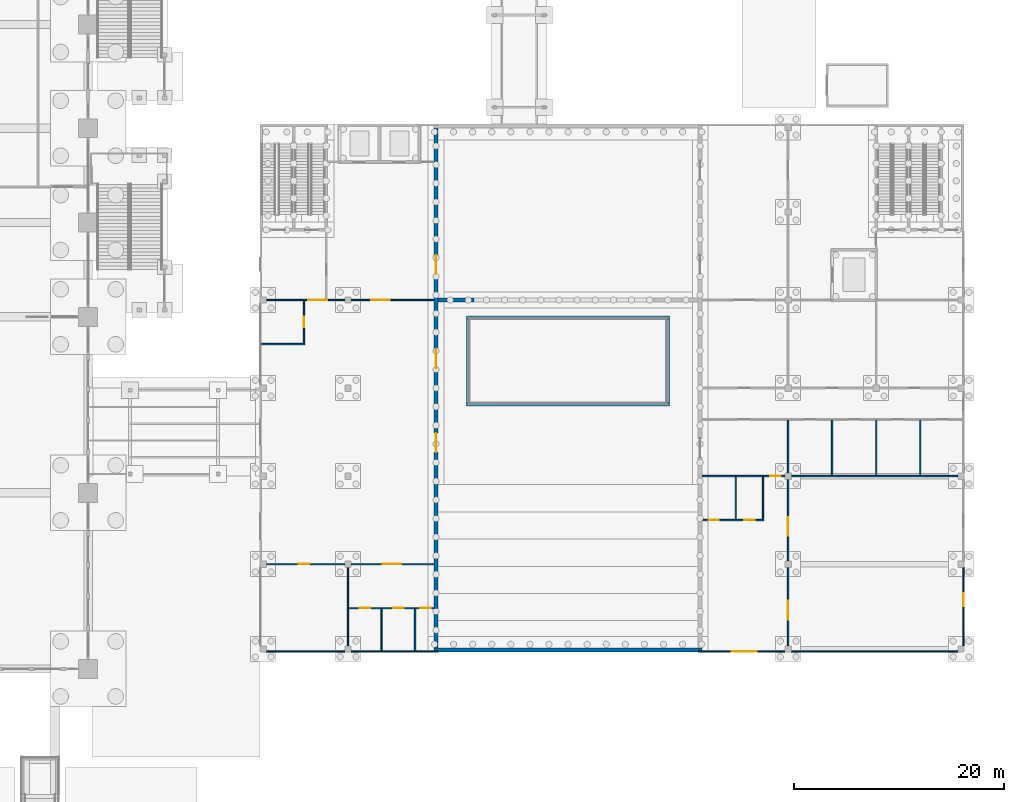
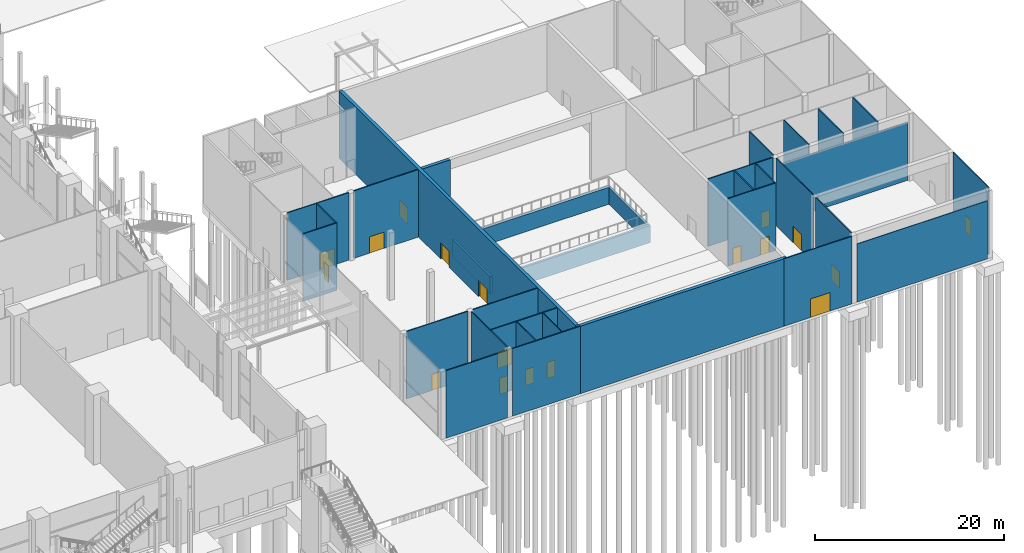
# One storey, part 46 of 72: 33 walls, 18 doors, 18 openings.
"""IFC4 building model written with IfcOpenShell, lengths in metres."""

import ifcopenshell
import ifcopenshell.guid

model = None  # the IFC model being written
_history = None  # IfcOwnerHistory: only IFC2X3 demands one
_inside = {}  # id of a spatial element -> (the spatial element, [elements in it])
_under = {}  # id of a project, library or spatial element -> (it, [spatial elements below it])
_declared = {}  # id of a project -> (the project, [libraries it declares])
_typed = {}  # id of a type object -> (the type object, [elements of that type])
_made_of = {}  # id of a material, layer set ... -> (it, [elements and type objects made of it])


def new_model(schema):
    """Start an empty IFC model of exactly this schema.

    Asked for "IFC4X3", IfcOpenShell would pick the latest addendum, in which some entities
    have other attributes; the version numbers below select the first issue.
    IFC2X3 requires an IfcOwnerHistory on every rooted entity: one is made here for all.
    """
    global model, _history
    if schema == "IFC4X3":
        model = ifcopenshell.file(schema_version=(4, 3, 0, 0))
    else:
        model = ifcopenshell.file(schema=schema)
    _inside.clear()
    _under.clear()
    _declared.clear()
    _typed.clear()
    _made_of.clear()
    _history = None
    if model.schema == "IFC2X3":
        org = make("IfcOrganization", Name="unknown")
        user = make(
            "IfcPersonAndOrganization",
            ThePerson=make("IfcPerson", FamilyName="unknown"),
            TheOrganization=org,
        )
        app = make(
            "IfcApplication",
            ApplicationDeveloper=org,
            Version="unknown",
            ApplicationFullName="unknown",
            ApplicationIdentifier="unknown",
        )
        _history = make(
            "IfcOwnerHistory",
            OwningUser=user,
            OwningApplication=app,
            ChangeAction="ADDED",
            CreationDate=0,
        )
    return model


def make(cls, **values):
    """One entity of the class cls with the attributes given. An attribute that is None is left unset."""
    return model.create_entity(
        cls, **{name: value for name, value in values.items() if value is not None}
    )


def rooted(cls, **values):
    """An entity with a GlobalId (a new one), such as an element, a storey or a relation."""
    return make(cls, GlobalId=ifcopenshell.guid.new(), OwnerHistory=_history, **values)


def si_unit(unit_type, name, prefix=None):
    """IfcSIUnit, for example si_unit("LENGTHUNIT", "METRE", prefix="MILLI")."""
    return make("IfcSIUnit", UnitType=unit_type, Prefix=prefix, Name=name)


def assignment(units):
    """IfcUnitAssignment: the units of a project."""
    return None if units is None else make("IfcUnitAssignment", Units=units)


def point(xyz):
    """IfcCartesianPoint."""
    return None if xyz is None else make("IfcCartesianPoint", Coordinates=xyz)


def direction(xyz):
    """IfcDirection."""
    return None if xyz is None else make("IfcDirection", DirectionRatios=xyz)


def frame(location, z_axis=None, x_axis=None):
    """IfcAxis2Placement3D, a coordinate frame: its origin and axes. An axis left out is left unset."""
    return make(
        "IfcAxis2Placement3D",
        Location=point(location),
        Axis=direction(z_axis),
        RefDirection=direction(x_axis),
    )


def frame_2d(location, x_axis=None):
    """IfcAxis2Placement2D, a coordinate frame in the plane: its origin and x axis."""
    return make(
        "IfcAxis2Placement2D", Location=point(location), RefDirection=direction(x_axis)
    )


def origin():
    """The frame at (0, 0, 0) with its axes left unset."""
    return frame((0.0, 0.0, 0.0))


def place(relative_to, where):
    """IfcLocalPlacement: puts the frame where relative to a parent placement (None: the world)."""
    return make(
        "IfcLocalPlacement", PlacementRelTo=relative_to, RelativePlacement=where
    )


def context(
    kind, dimensions, precision=None, world=None, true_north=None, identifier=None
):
    """IfcGeometricRepresentationContext, for example the 3D "Model" context."""
    return make(
        "IfcGeometricRepresentationContext",
        ContextIdentifier=identifier,
        ContextType=kind,
        CoordinateSpaceDimension=dimensions,
        Precision=precision,
        WorldCoordinateSystem=world,
        TrueNorth=true_north,
    )


def subcontext(parent, identifier, kind, view, scale=None):
    """IfcGeometricRepresentationSubContext, for example "Body" below "Model"."""
    return make(
        "IfcGeometricRepresentationSubContext",
        ContextIdentifier=identifier,
        ContextType=kind,
        ParentContext=parent,
        TargetScale=scale,
        TargetView=view,
    )


def project(units=None, contexts=None):
    """IfcProject with its units and contexts."""
    return rooted(
        "IfcProject",
        Name="project",
        RepresentationContexts=contexts,
        UnitsInContext=assignment(units),
    )


def spatial(cls, under=None, at=None, **own):
    """A site, building, storey or space (cls), placed at a placement, below another one or the project."""
    s = rooted(cls, ObjectPlacement=at, **own)
    if under is not None:
        _under.setdefault(under.id(), (under, []))[1].append(s)
    return s


def profile(cls, at=None, kind="AREA", **sizes):
    """A parametric profile (cls). Its sizes go by their IFC names, for example OverallWidth=200.0."""
    return make(cls, ProfileType=kind, Position=at, **sizes)


def rectangle(**sizes):
    """IfcRectangleProfileDef."""
    return profile("IfcRectangleProfileDef", **sizes)


def extrude(swept, where, along, depth):
    """IfcExtrudedAreaSolid: the profile swept, set in the frame where, extruded along a direction by depth."""
    return make(
        "IfcExtrudedAreaSolid",
        SweptArea=swept,
        Position=where,
        ExtrudedDirection=direction(along),
        Depth=depth,
    )


def shape(context_of_items, identifier, shape_type, items):
    """IfcShapeRepresentation: the items that make up one representation, for example the "Body"."""
    return make(
        "IfcShapeRepresentation",
        ContextOfItems=context_of_items,
        RepresentationIdentifier=identifier,
        RepresentationType=shape_type,
        Items=items,
    )


def material(Name=None, Category=None):
    """IfcMaterial."""
    return make("IfcMaterial", Name=Name, Category=Category)


def layer(
    of_material, thickness, ventilated=None, Name=None, Category=None, Priority=None
):
    """IfcMaterialLayer: one layer of a wall or slab, of a material (None: an air gap)."""
    return make(
        "IfcMaterialLayer",
        Material=of_material,
        LayerThickness=thickness,
        IsVentilated=ventilated,
        Name=Name,
        Category=Category,
        Priority=Priority,
    )


def layer_set(layers, Name=None):
    """IfcMaterialLayerSet."""
    return make("IfcMaterialLayerSet", MaterialLayers=layers, LayerSetName=Name)


def made_of(thing, what):
    """Note that an element or type object is made of a material, layer set ...; save() writes the relation."""
    if what is not None:
        _made_of.setdefault(what.id(), (what, []))[1].append(thing)
    return thing


def type_object(cls, material=None, **own):
    """A type object (cls), such as IfcWallType, which elements share."""
    return made_of(rooted(cls, **own), material)


def element(
    cls,
    number,
    at=None,
    inside=None,
    cuts=None,
    type_object=None,
    material=None,
    context=None,
    identifier="Body",
    shape_type=None,
    held_by="IfcProductDefinitionShape",
    body=None,
    shapes=None,
    **own,
):
    """One element of the class cls, such as IfcWall. Its Tag is "e" and its number.

    at: its placement. inside: the storey or other place that contains it. cuts: it is an
    opening in that element (IfcRelVoidsElement). A single representation is given by context,
    identifier, shape_type and body (its items); several are given by shapes. held_by: the class
    of the entity that holds the representations. save() writes the other relations.
    """
    e = rooted(cls, Tag="e%d" % number, ObjectPlacement=at, **own)
    if body is not None:
        shapes = [shape(context, identifier, shape_type, body)]
    if shapes is not None:
        e.Representation = make(held_by, Representations=shapes)
    if inside is not None:
        _inside.setdefault(inside.id(), (inside, []))[1].append(e)
    if cuts is not None:
        rooted(
            "IfcRelVoidsElement", RelatingBuildingElement=cuts, RelatedOpeningElement=e
        )
    if type_object is not None:
        _typed.setdefault(type_object.id(), (type_object, []))[1].append(e)
    return made_of(e, material)


def fill(opening, filler):
    """IfcRelFillsElement: the door or window that sits in an opening."""
    return rooted(
        "IfcRelFillsElement",
        RelatingOpeningElement=opening,
        RelatedBuildingElement=filler,
    )


def aggregate(whole, parts):
    """IfcRelAggregates: a whole, such as a stair, and the parts it consists of."""
    return rooted("IfcRelAggregates", RelatingObject=whole, RelatedObjects=parts)


def save(model, path):
    """Write the relations noted so far, then the file.

    IfcRelAggregates (storeys below a building ...), IfcRelContainedInSpatialStructure (elements
    in a storey), IfcRelDefinesByType, IfcRelAssociatesMaterial and IfcRelDeclares: one each for
    every whole, place, type object, material and project.
    """
    for whole, parts in _under.values():
        aggregate(whole, parts)
    for where, things in _inside.values():
        rooted(
            "IfcRelContainedInSpatialStructure",
            RelatedElements=things,
            RelatingStructure=where,
        )
    for kind, things in _typed.values():
        rooted("IfcRelDefinesByType", RelatedObjects=things, RelatingType=kind)
    for what, things in _made_of.values():
        rooted("IfcRelAssociatesMaterial", RelatedObjects=things, RelatingMaterial=what)
    for by, libraries in _declared.values():
        rooted("IfcRelDeclares", RelatingContext=by, RelatedDefinitions=libraries)
    model.write(path)


model = new_model("IFC4")

# Units and contexts
model_context = context("Model", 3, precision=1e-05, world=origin(), true_north=direction((0.0, 1.0)))
body_context = subcontext(model_context, "Body", "Model", "MODEL_VIEW")
ifc_project = project(units=[si_unit("LENGTHUNIT", "METRE"), si_unit("AREAUNIT", "SQUARE_METRE"), si_unit("VOLUMEUNIT", "CUBIC_METRE"), si_unit("PLANEANGLEUNIT", "RADIAN"), si_unit("MASSUNIT", "GRAM", prefix="KILO")], contexts=[model_context])

# Site, building, storey
site_placement = place(None, origin())
site = spatial("IfcSite", under=ifc_project, at=site_placement, CompositionType="ELEMENT")
building_placement = place(site_placement, origin())
building = spatial("IfcBuilding", under=site, at=building_placement, Name="Candeia Pilgrim Tower and Theatre", CompositionType="ELEMENT")
storey_placement = place(building_placement, origin())
storey = spatial("IfcBuildingStorey", under=building, at=storey_placement, Name="L00", CompositionType="ELEMENT", Elevation=0.0)

# Walls
ifc_material_1 = material(Name="Gypsum board on steel studs", Category="steel")
ifc_layer_1 = layer(ifc_material_1, 0.125)
ifc_layer_set_1 = layer_set([ifc_layer_1], Name="Partition 125")
wall_type_1 = type_object("IfcWallType", Name="Partition 125", PredefinedType="PARTITIONING", material=ifc_layer_set_1)
wall_1_placement = place(storey_placement, frame((176.60009765625, 66.0625, 0.0), z_axis=(0.0, 0.0, 1.0), x_axis=(1.0, 0.0, 0.0)))
element("IfcWall", 1, at=wall_1_placement, inside=storey, type_object=wall_type_1, Name="T-L00-W001", PredefinedType="PARTITIONING", context=body_context, shape_type="SweptSolid", body=[
    extrude(rectangle(XDim=7.5, YDim=0.125, at=frame_2d((3.75, 0.0))), origin(), (0.0, 0.0, 1.0), 8.699951171875),
])
wall_2_placement = place(storey_placement, frame((184.699951171875, 66.0625, 0.0), z_axis=(0.0, 0.0, 1.0), x_axis=(1.0, 0.0, 0.0)))
element("IfcWall", 2, at=wall_2_placement, inside=storey, type_object=wall_type_1, Name="T-L00-W002", PredefinedType="PARTITIONING", context=body_context, shape_type="SweptSolid", body=[
    extrude(rectangle(XDim=8.300048828125, YDim=0.125, at=frame_2d((4.14990234375, 0.0))), origin(), (0.0, 0.0, 1.0), 8.699951171875),
])

# Wall, opening, door
wall_3_placement = place(storey_placement, frame((217.800048828125, 66.0625, 0.0), z_axis=(0.0, 0.0, 1.0), x_axis=(1.0, 0.0, 0.0)))
wall_3 = element("IfcWall", 3, at=wall_3_placement, inside=storey, type_object=wall_type_1, Name="T-L00-W003", PredefinedType="PARTITIONING", context=body_context, shape_type="SweptSolid", body=[
    extrude(rectangle(XDim=8.300048828125, YDim=0.125, at=frame_2d((4.14990234375, 0.0))), origin(), (0.0, 0.0, 1.0), 8.699951171875),
])
opening_1_placement = place(wall_3_placement, frame((3.199951171875, 0.0, 0.0)))
opening_1 = element("IfcOpeningElement", 4, at=opening_1_placement, cuts=wall_3, Name="Opening TD-L00-027", PredefinedType="OPENING", context=body_context, shape_type="SweptSolid", body=[
    extrude(rectangle(XDim=2.39990234375, YDim=2.39990234375, at=frame_2d((1.199951171875, 1.199951171875))), frame((0.0, 0.072509765625, 0.0), z_axis=(0.0, -1.0, 0.0), x_axis=(1.0, 0.0, 0.0)), (0.0, 0.0, 1.0), 0.14501953125),
])
ifc_material_2 = material(Name="Aluminium glazed door", Category="aluminium")
door_type_1 = type_object("IfcDoorType", Name="Door glazed double 2400x2400", OperationType="DOUBLE_DOOR_SINGLE_SWING", PredefinedType="DOOR", material=ifc_material_2)
door_1_placement = place(opening_1_placement, origin())
door_1 = element("IfcDoor", 5, at=door_1_placement, inside=storey, type_object=door_type_1, Name="Door TD-L00-027", OperationType="DOUBLE_DOOR_SINGLE_SWING", OverallHeight=2.39990234375, OverallWidth=2.39990234375, PredefinedType="DOOR", context=body_context, shape_type="SweptSolid", body=[
    extrude(rectangle(XDim=2.39990234375, YDim=2.39990234375, at=frame_2d((1.199951171875, 1.199951171875))), frame((0.0, 0.02490234375, 0.0), z_axis=(0.0, -1.0, 0.0), x_axis=(1.0, 0.0, 0.0)), (0.0, 0.0, 1.0), 0.050048828125),
])
fill(opening_1, door_1)

# Wall
wall_4_placement = place(storey_placement, frame((226.699951171875, 66.0625, 0.0), z_axis=(0.0, 0.0, 1.0), x_axis=(1.0, 0.0, 0.0)))
element("IfcWall", 6, at=wall_4_placement, inside=storey, type_object=wall_type_1, Name="T-L00-W004", PredefinedType="PARTITIONING", context=body_context, shape_type="SweptSolid", body=[
    extrude(rectangle(XDim=15.900146484375, YDim=0.125, at=frame_2d((7.9501953125, 0.0))), origin(), (0.0, 0.0, 1.0), 7.5),
])

# Wall, openings, doors
wall_5_placement = place(storey_placement, frame((184.46240234375, 70.199951171875, 0.0), z_axis=(0.0, 0.0, 1.0), x_axis=(1.0, 0.0, 0.0)))
wall_5 = element("IfcWall", 7, at=wall_5_placement, inside=storey, type_object=wall_type_1, Name="T-L00-W006", PredefinedType="PARTITIONING", context=body_context, shape_type="SweptSolid", body=[
    extrude(rectangle(XDim=8.1376953125, YDim=0.125, at=frame_2d((4.06884765625, 0.0))), origin(), (0.0, 0.0, 1.0), 8.699951171875),
])
opening_2_placement = place(wall_5_placement, frame((1.03759765625, 0.0, 0.0)))
opening_2 = element("IfcOpeningElement", 8, at=opening_2_placement, cuts=wall_5, Name="Opening TD-L00-015", PredefinedType="OPENING", context=body_context, shape_type="SweptSolid", body=[
    extrude(rectangle(XDim=1.0, YDim=2.10009765625, at=frame_2d((0.5, 1.050048828125))), frame((0.0, 0.072509765625, 0.0), z_axis=(0.0, -1.0, 0.0), x_axis=(1.0, 0.0, 0.0)), (0.0, 0.0, 1.0), 0.14501953125),
])
opening_3_placement = place(wall_5_placement, frame((4.237548828125, 0.0, 0.0)))
opening_3 = element("IfcOpeningElement", 9, at=opening_3_placement, cuts=wall_5, Name="Opening TD-L00-016", PredefinedType="OPENING", context=body_context, shape_type="SweptSolid", body=[
    extrude(rectangle(XDim=1.0, YDim=2.10009765625, at=frame_2d((0.5, 1.050048828125))), frame((0.0, 0.072509765625, 0.0), z_axis=(0.0, -1.0, 0.0), x_axis=(1.0, 0.0, 0.0)), (0.0, 0.0, 1.0), 0.14501953125),
])
opening_4_placement = place(wall_5_placement, frame((6.83740234375, 0.0, 0.0)))
opening_4 = element("IfcOpeningElement", 10, at=opening_4_placement, cuts=wall_5, Name="Opening TD-L00-017", PredefinedType="OPENING", context=body_context, shape_type="SweptSolid", body=[
    extrude(rectangle(XDim=1.0, YDim=2.10009765625, at=frame_2d((0.5, 1.050048828125))), frame((0.0, 0.072509765625, 0.0), z_axis=(0.0, -1.0, 0.0), x_axis=(1.0, 0.0, 0.0)), (0.0, 0.0, 1.0), 0.14501953125),
])
ifc_material_3 = material(Name="Timber door leaf", Category="wood")
door_type_2 = type_object("IfcDoorType", Name="Door single 1000x2100", OperationType="NOTDEFINED", PredefinedType="DOOR", material=ifc_material_3)
door_2_placement = place(opening_2_placement, origin())
door_2 = element("IfcDoor", 11, at=door_2_placement, inside=storey, type_object=door_type_2, Name="Door TD-L00-015", OperationType="SINGLE_SWING_LEFT", OverallHeight=2.10009765625, OverallWidth=1.0, PredefinedType="DOOR", context=body_context, shape_type="SweptSolid", body=[
    extrude(rectangle(XDim=1.0, YDim=2.10009765625, at=frame_2d((0.5, 1.050048828125))), frame((0.0, 0.02490234375, 0.0), z_axis=(0.0, -1.0, 0.0), x_axis=(1.0, 0.0, 0.0)), (0.0, 0.0, 1.0), 0.050048828125),
])
fill(opening_2, door_2)
door_3_placement = place(opening_3_placement, origin())
door_3 = element("IfcDoor", 12, at=door_3_placement, inside=storey, type_object=door_type_2, Name="Door TD-L00-016", OperationType="SINGLE_SWING_RIGHT", OverallHeight=2.10009765625, OverallWidth=1.0, PredefinedType="DOOR", context=body_context, shape_type="SweptSolid", body=[
    extrude(rectangle(XDim=1.0, YDim=2.10009765625, at=frame_2d((0.5, 1.050048828125))), frame((0.0, 0.02490234375, 0.0), z_axis=(0.0, -1.0, 0.0), x_axis=(1.0, 0.0, 0.0)), (0.0, 0.0, 1.0), 0.050048828125),
])
fill(opening_3, door_3)
door_4_placement = place(opening_4_placement, origin())
door_4 = element("IfcDoor", 13, at=door_4_placement, inside=storey, type_object=door_type_2, Name="Door TD-L00-017", OperationType="SINGLE_SWING_LEFT", OverallHeight=2.10009765625, OverallWidth=1.0, PredefinedType="DOOR", context=body_context, shape_type="SweptSolid", body=[
    extrude(rectangle(XDim=1.0, YDim=2.10009765625, at=frame_2d((0.5, 1.050048828125))), frame((0.0, 0.02490234375, 0.0), z_axis=(0.0, -1.0, 0.0), x_axis=(1.0, 0.0, 0.0)), (0.0, 0.0, 1.0), 0.050048828125),
])
fill(opening_4, door_4)

# Wall, opening, door
wall_6_placement = place(storey_placement, frame((176.60009765625, 74.39990234375, 0.0), z_axis=(0.0, 0.0, 1.0), x_axis=(1.0, 0.0, 0.0)))
wall_6 = element("IfcWall", 14, at=wall_6_placement, inside=storey, type_object=wall_type_1, Name="T-L00-W007", PredefinedType="PARTITIONING", context=body_context, shape_type="SweptSolid", body=[
    extrude(rectangle(XDim=7.5, YDim=0.125, at=frame_2d((3.75, 0.0))), origin(), (0.0, 0.0, 1.0), 8.699951171875),
])
opening_5_placement = place(wall_6_placement, frame((3.10009765625, 0.0, 0.0)))
opening_5 = element("IfcOpeningElement", 15, at=opening_5_placement, cuts=wall_6, Name="Opening TD-L00-018", PredefinedType="OPENING", context=body_context, shape_type="SweptSolid", body=[
    extrude(rectangle(XDim=1.0, YDim=2.10009765625, at=frame_2d((0.5, 1.050048828125))), frame((0.0, 0.072509765625, 0.0), z_axis=(0.0, -1.0, 0.0), x_axis=(1.0, 0.0, 0.0)), (0.0, 0.0, 1.0), 0.14501953125),
])
door_5_placement = place(opening_5_placement, origin())
door_5 = element("IfcDoor", 16, at=door_5_placement, inside=storey, type_object=door_type_2, Name="Door TD-L00-018", OperationType="SINGLE_SWING_RIGHT", OverallHeight=2.10009765625, OverallWidth=1.0, PredefinedType="DOOR", context=body_context, shape_type="SweptSolid", body=[
    extrude(rectangle(XDim=1.0, YDim=2.10009765625, at=frame_2d((0.5, 1.050048828125))), frame((0.0, 0.02490234375, 0.0), z_axis=(0.0, -1.0, 0.0), x_axis=(1.0, 0.0, 0.0)), (0.0, 0.0, 1.0), 0.050048828125),
])
fill(opening_5, door_5)

wall_7_placement = place(storey_placement, frame((184.699951171875, 74.39990234375, 0.0), z_axis=(0.0, 0.0, 1.0), x_axis=(1.0, 0.0, 0.0)))
wall_7 = element("IfcWall", 17, at=wall_7_placement, inside=storey, type_object=wall_type_1, Name="T-L00-W008", PredefinedType="PARTITIONING", context=body_context, shape_type="SweptSolid", body=[
    extrude(rectangle(XDim=7.900146484375, YDim=0.125, at=frame_2d((3.9501953125, 0.0))), origin(), (0.0, 0.0, 1.0), 8.699951171875),
])
opening_6_placement = place(wall_7_placement, frame((3.0, 0.0, 0.0)))
opening_6 = element("IfcOpeningElement", 18, at=opening_6_placement, cuts=wall_7, Name="Opening TD-L00-014", PredefinedType="OPENING", context=body_context, shape_type="SweptSolid", body=[
    extrude(rectangle(XDim=1.800048828125, YDim=2.10009765625, at=frame_2d((0.89990234375, 1.050048828125))), frame((0.0, 0.072509765625, 0.0), z_axis=(0.0, -1.0, 0.0), x_axis=(1.0, 0.0, 0.0)), (0.0, 0.0, 1.0), 0.14501953125),
])
door_type_3 = type_object("IfcDoorType", Name="Door double 1800x2100", OperationType="DOUBLE_DOOR_SINGLE_SWING", PredefinedType="DOOR", material=ifc_material_3)
door_6_placement = place(opening_6_placement, origin())
door_6 = element("IfcDoor", 19, at=door_6_placement, inside=storey, type_object=door_type_3, Name="Door TD-L00-014", OperationType="DOUBLE_DOOR_SINGLE_SWING", OverallHeight=2.10009765625, OverallWidth=1.800048828125, PredefinedType="DOOR", context=body_context, shape_type="SweptSolid", body=[
    extrude(rectangle(XDim=1.800048828125, YDim=2.10009765625, at=frame_2d((0.89990234375, 1.050048828125))), frame((0.0, 0.02490234375, 0.0), z_axis=(0.0, -1.0, 0.0), x_axis=(1.0, 0.0, 0.0)), (0.0, 0.0, 1.0), 0.050048828125),
])
fill(opening_6, door_6)

# Wall, openings, doors
wall_8_placement = place(storey_placement, frame((218.199951171875, 78.60009765625, 0.0), z_axis=(0.0, 0.0, 1.0), x_axis=(1.0, 0.0, 0.0)))
wall_8 = element("IfcWall", 20, at=wall_8_placement, inside=storey, type_object=wall_type_1, Name="T-L00-W009", PredefinedType="PARTITIONING", context=body_context, shape_type="SweptSolid", body=[
    extrude(rectangle(XDim=5.862548828125, YDim=0.125, at=frame_2d((2.93115234375, 0.0))), origin(), (0.0, 0.0, 1.0), 8.699951171875),
])
opening_7_placement = place(wall_8_placement, frame((0.60009765625, 0.0, 0.0)))
opening_7 = element("IfcOpeningElement", 21, at=opening_7_placement, cuts=wall_8, Name="Opening TD-L00-032", PredefinedType="OPENING", context=body_context, shape_type="SweptSolid", body=[
    extrude(rectangle(XDim=1.0, YDim=2.10009765625, at=frame_2d((0.5, 1.050048828125))), frame((0.0, 0.072509765625, 0.0), z_axis=(0.0, -1.0, 0.0), x_axis=(1.0, 0.0, 0.0)), (0.0, 0.0, 1.0), 0.14501953125),
])
opening_8_placement = place(wall_8_placement, frame((4.0, 0.0, 0.0)))
opening_8 = element("IfcOpeningElement", 22, at=opening_8_placement, cuts=wall_8, Name="Opening TD-L00-033", PredefinedType="OPENING", context=body_context, shape_type="SweptSolid", body=[
    extrude(rectangle(XDim=1.0, YDim=2.10009765625, at=frame_2d((0.5, 1.050048828125))), frame((0.0, 0.072509765625, 0.0), z_axis=(0.0, -1.0, 0.0), x_axis=(1.0, 0.0, 0.0)), (0.0, 0.0, 1.0), 0.14501953125),
])
door_7_placement = place(opening_7_placement, origin())
door_7 = element("IfcDoor", 23, at=door_7_placement, inside=storey, type_object=door_type_2, Name="Door TD-L00-032", OperationType="SINGLE_SWING_RIGHT", OverallHeight=2.10009765625, OverallWidth=1.0, PredefinedType="DOOR", context=body_context, shape_type="SweptSolid", body=[
    extrude(rectangle(XDim=1.0, YDim=2.10009765625, at=frame_2d((0.5, 1.050048828125))), frame((0.0, 0.02490234375, 0.0), z_axis=(0.0, -1.0, 0.0), x_axis=(1.0, 0.0, 0.0)), (0.0, 0.0, 1.0), 0.050048828125),
])
fill(opening_7, door_7)
door_8_placement = place(opening_8_placement, origin())
door_8 = element("IfcDoor", 24, at=door_8_placement, inside=storey, type_object=door_type_2, Name="Door TD-L00-033", OperationType="SINGLE_SWING_LEFT", OverallHeight=2.10009765625, OverallWidth=1.0, PredefinedType="DOOR", context=body_context, shape_type="SweptSolid", body=[
    extrude(rectangle(XDim=1.0, YDim=2.10009765625, at=frame_2d((0.5, 1.050048828125))), frame((0.0, 0.02490234375, 0.0), z_axis=(0.0, -1.0, 0.0), x_axis=(1.0, 0.0, 0.0)), (0.0, 0.0, 1.0), 0.050048828125),
])
fill(opening_8, door_8)

# Wall, opening, door
wall_9_placement = place(storey_placement, frame((218.199951171875, 82.800048828125, 0.0), z_axis=(0.0, 0.0, 1.0), x_axis=(1.0, 0.0, 0.0)))
wall_9 = element("IfcWall", 25, at=wall_9_placement, inside=storey, type_object=wall_type_1, Name="T-L00-W010", PredefinedType="PARTITIONING", context=body_context, shape_type="SweptSolid", body=[
    extrude(rectangle(XDim=7.900146484375, YDim=0.125, at=frame_2d((3.9501953125, 0.0))), origin(), (0.0, 0.0, 1.0), 8.699951171875),
])
opening_9_placement = place(wall_9_placement, frame((6.5, 0.0, 0.0)))
opening_9 = element("IfcOpeningElement", 26, at=opening_9_placement, cuts=wall_9, Name="Opening TD-L00-035", PredefinedType="OPENING", context=body_context, shape_type="SweptSolid", body=[
    extrude(rectangle(XDim=1.0, YDim=2.10009765625, at=frame_2d((0.5, 1.050048828125))), frame((0.0, 0.072509765625, 0.0), z_axis=(0.0, -1.0, 0.0), x_axis=(1.0, 0.0, 0.0)), (0.0, 0.0, 1.0), 0.14501953125),
])
door_9_placement = place(opening_9_placement, origin())
door_9 = element("IfcDoor", 27, at=door_9_placement, inside=storey, type_object=door_type_2, Name="Door TD-L00-035", OperationType="SINGLE_SWING_LEFT", OverallHeight=2.10009765625, OverallWidth=1.0, PredefinedType="DOOR", context=body_context, shape_type="SweptSolid", body=[
    extrude(rectangle(XDim=1.0, YDim=2.10009765625, at=frame_2d((0.5, 1.050048828125))), frame((0.0, 0.02490234375, 0.0), z_axis=(0.0, -1.0, 0.0), x_axis=(1.0, 0.0, 0.0)), (0.0, 0.0, 1.0), 0.050048828125),
])
fill(opening_9, door_9)

# Walls
wall_10_placement = place(storey_placement, frame((226.699951171875, 82.800048828125, 0.0), z_axis=(0.0, 0.0, 1.0), x_axis=(1.0, 0.0, 0.0)))
element("IfcWall", 28, at=wall_10_placement, inside=storey, type_object=wall_type_1, Name="T-L00-W011", PredefinedType="PARTITIONING", context=body_context, shape_type="SweptSolid", body=[
    extrude(rectangle(XDim=15.900146484375, YDim=0.125, at=frame_2d((7.9501953125, 0.0))), origin(), (0.0, 0.0, 1.0), 7.5),
])
wall_11_placement = place(storey_placement, frame((176.125, 95.39990234375, 0.0), z_axis=(0.0, 0.0, 1.0), x_axis=(1.0, 0.0, 0.0)))
element("IfcWall", 29, at=wall_11_placement, inside=storey, type_object=wall_type_1, Name="T-L00-W016", PredefinedType="PARTITIONING", context=body_context, shape_type="SweptSolid", body=[
    extrude(rectangle(XDim=4.137451171875, YDim=0.125, at=frame_2d((2.06884765625, 0.0))), origin(), (0.0, 0.0, 1.0), 8.699951171875),
])

# Wall, opening, door
wall_12_placement = place(storey_placement, frame((176.60009765625, 99.60009765625, 0.0), z_axis=(0.0, 0.0, 1.0), x_axis=(1.0, 0.0, 0.0)))
wall_12 = element("IfcWall", 30, at=wall_12_placement, inside=storey, type_object=wall_type_1, Name="T-L00-W017", PredefinedType="PARTITIONING", context=body_context, shape_type="SweptSolid", body=[
    extrude(rectangle(XDim=7.5, YDim=0.125, at=frame_2d((3.75, 0.0))), origin(), (0.0, 0.0, 1.0), 8.699951171875),
])
opening_10_placement = place(wall_12_placement, frame((4.0, 0.0, 0.0)))
opening_10 = element("IfcOpeningElement", 31, at=opening_10_placement, cuts=wall_12, Name="Opening TD-L00-020", PredefinedType="OPENING", context=body_context, shape_type="SweptSolid", body=[
    extrude(rectangle(XDim=1.800048828125, YDim=2.10009765625, at=frame_2d((0.89990234375, 1.050048828125))), frame((0.0, 0.072509765625, 0.0), z_axis=(0.0, -1.0, 0.0), x_axis=(1.0, 0.0, 0.0)), (0.0, 0.0, 1.0), 0.14501953125),
])
door_10_placement = place(opening_10_placement, origin())
door_10 = element("IfcDoor", 32, at=door_10_placement, inside=storey, type_object=door_type_3, Name="Door TD-L00-020", OperationType="DOUBLE_DOOR_SINGLE_SWING", OverallHeight=2.10009765625, OverallWidth=1.800048828125, PredefinedType="DOOR", context=body_context, shape_type="SweptSolid", body=[
    extrude(rectangle(XDim=1.800048828125, YDim=2.10009765625, at=frame_2d((0.89990234375, 1.050048828125))), frame((0.0, 0.02490234375, 0.0), z_axis=(0.0, -1.0, 0.0), x_axis=(1.0, 0.0, 0.0)), (0.0, 0.0, 1.0), 0.050048828125),
])
fill(opening_10, door_10)

wall_13_placement = place(storey_placement, frame((184.699951171875, 99.60009765625, 0.0), z_axis=(0.0, 0.0, 1.0), x_axis=(1.0, 0.0, 0.0)))
wall_13 = element("IfcWall", 33, at=wall_13_placement, inside=storey, type_object=wall_type_1, Name="T-L00-W018", PredefinedType="PARTITIONING", context=body_context, shape_type="SweptSolid", body=[
    extrude(rectangle(XDim=7.900146484375, YDim=0.125, at=frame_2d((3.9501953125, 0.0))), origin(), (0.0, 0.0, 1.0), 8.699951171875),
])
opening_11_placement = place(wall_13_placement, frame((1.89990234375, 0.0, 0.0)))
opening_11 = element("IfcOpeningElement", 34, at=opening_11_placement, cuts=wall_13, Name="Opening TD-L00-021", PredefinedType="OPENING", context=body_context, shape_type="SweptSolid", body=[
    extrude(rectangle(XDim=1.800048828125, YDim=2.10009765625, at=frame_2d((0.89990234375, 1.050048828125))), frame((0.0, 0.072509765625, 0.0), z_axis=(0.0, -1.0, 0.0), x_axis=(1.0, 0.0, 0.0)), (0.0, 0.0, 1.0), 0.14501953125),
])
door_11_placement = place(opening_11_placement, origin())
door_11 = element("IfcDoor", 35, at=door_11_placement, inside=storey, type_object=door_type_3, Name="Door TD-L00-021", OperationType="DOUBLE_DOOR_SINGLE_SWING", OverallHeight=2.10009765625, OverallWidth=1.800048828125, PredefinedType="DOOR", context=body_context, shape_type="SweptSolid", body=[
    extrude(rectangle(XDim=1.800048828125, YDim=2.10009765625, at=frame_2d((0.89990234375, 1.050048828125))), frame((0.0, 0.02490234375, 0.0), z_axis=(0.0, -1.0, 0.0), x_axis=(1.0, 0.0, 0.0)), (0.0, 0.0, 1.0), 0.050048828125),
])
fill(opening_11, door_11)

wall_14_placement = place(storey_placement, frame((180.199951171875, 95.46240234375, 0.0), z_axis=(0.0, 0.0, 1.0), x_axis=(0.0, 1.0, 0.0)))
wall_14 = element("IfcWall", 36, at=wall_14_placement, inside=storey, type_object=wall_type_1, Name="T-L00-W043", PredefinedType="PARTITIONING", context=body_context, shape_type="SweptSolid", body=[
    extrude(rectangle(XDim=4.0751953125, YDim=0.125, at=frame_2d((2.03759765625, 0.0))), origin(), (0.0, 0.0, 1.0), 8.699951171875),
])
opening_12_placement = place(wall_14_placement, frame((1.53759765625, 0.0, 0.0)))
opening_12 = element("IfcOpeningElement", 37, at=opening_12_placement, cuts=wall_14, Name="Opening TD-L00-019", PredefinedType="OPENING", context=body_context, shape_type="SweptSolid", body=[
    extrude(rectangle(XDim=1.0, YDim=2.10009765625, at=frame_2d((0.5, 1.050048828125))), frame((0.0, 0.072509765625, 0.0), z_axis=(0.0, -1.0, 0.0), x_axis=(1.0, 0.0, 0.0)), (0.0, 0.0, 1.0), 0.14501953125),
])
door_12_placement = place(opening_12_placement, origin())
door_12 = element("IfcDoor", 38, at=door_12_placement, inside=storey, type_object=door_type_2, Name="Door TD-L00-019", OperationType="SINGLE_SWING_LEFT", OverallHeight=2.10009765625, OverallWidth=1.0, PredefinedType="DOOR", context=body_context, shape_type="SweptSolid", body=[
    extrude(rectangle(XDim=1.0, YDim=2.10009765625, at=frame_2d((0.5, 1.050048828125))), frame((0.0, 0.02490234375, 0.0), z_axis=(0.0, -1.0, 0.0), x_axis=(1.0, 0.0, 0.0)), (0.0, 0.0, 1.0), 0.050048828125),
])
fill(opening_12, door_12)

# Walls
wall_15_placement = place(storey_placement, frame((184.39990234375, 66.60009765625, 0.0), z_axis=(0.0, 0.0, 1.0), x_axis=(0.0, 1.0, 0.0)))
element("IfcWall", 39, at=wall_15_placement, inside=storey, type_object=wall_type_1, Name="T-L00-W047", PredefinedType="PARTITIONING", context=body_context, shape_type="SweptSolid", body=[
    extrude(rectangle(XDim=7.5, YDim=0.125, at=frame_2d((3.75, 0.0))), origin(), (0.0, 0.0, 1.0), 8.699951171875),
])
for number, where, z_axis, x_axis, name in (
    (40, (187.60009765625, 66.125, 0.0), (0.0, 0.0, 1.0), (0.0, 1.0, 0.0), "T-L00-W049"),
    (41, (190.800048828125, 66.125, 0.0), (0.0, 0.0, 1.0), (0.0, 1.0, 0.0), "T-L00-W050"),
):
    element("IfcWall", number, at=place(storey_placement, frame(where, z_axis=z_axis, x_axis=x_axis)), inside=storey, type_object=wall_type_1, Name=name, PredefinedType="PARTITIONING", context=body_context, shape_type="SweptSolid", body=[
        extrude(rectangle(XDim=4.012451171875, YDim=0.125, at=frame_2d((2.00634765625, 0.0))), origin(), (0.0, 0.0, 1.0), 8.699951171875),
    ])
for number, where, z_axis, x_axis, name in (
    (42, (221.39990234375, 78.66259765625, 0.0), (0.0, 0.0, 1.0), (0.0, 1.0, 0.0), "T-L00-W054"),
    (43, (224.0, 78.66259765625, 0.0), (0.0, 0.0, 1.0), (0.0, 1.0, 0.0), "T-L00-W055"),
):
    element("IfcWall", number, at=place(storey_placement, frame(where, z_axis=z_axis, x_axis=x_axis)), inside=storey, type_object=wall_type_1, Name=name, PredefinedType="PARTITIONING", context=body_context, shape_type="SweptSolid", body=[
        extrude(rectangle(XDim=4.074951171875, YDim=0.125, at=frame_2d((2.03759765625, 0.0))), origin(), (0.0, 0.0, 1.0), 8.699951171875),
    ])

# Wall, opening, door
wall_16_placement = place(storey_placement, frame((226.39990234375, 66.60009765625, 0.0), z_axis=(0.0, 0.0, 1.0), x_axis=(0.0, 1.0, 0.0)))
wall_16 = element("IfcWall", 44, at=wall_16_placement, inside=storey, type_object=wall_type_1, Name="T-L00-W056", PredefinedType="PARTITIONING", context=body_context, shape_type="SweptSolid", body=[
    extrude(rectangle(XDim=7.5, YDim=0.125, at=frame_2d((3.75, 0.0))), origin(), (0.0, 0.0, 1.0), 8.699951171875),
])
opening_13_placement = place(wall_16_placement, frame((2.5, 0.0, 0.0)))
opening_13 = element("IfcOpeningElement", 45, at=opening_13_placement, cuts=wall_16, Name="Opening TD-L00-028", PredefinedType="OPENING", context=body_context, shape_type="SweptSolid", body=[
    extrude(rectangle(XDim=1.800048828125, YDim=2.10009765625, at=frame_2d((0.89990234375, 1.050048828125))), frame((0.0, 0.072509765625, 0.0), z_axis=(0.0, -1.0, 0.0), x_axis=(1.0, 0.0, 0.0)), (0.0, 0.0, 1.0), 0.14501953125),
])
door_13_placement = place(opening_13_placement, origin())
door_13 = element("IfcDoor", 46, at=door_13_placement, inside=storey, type_object=door_type_3, Name="Door TD-L00-028", OperationType="DOUBLE_DOOR_SINGLE_SWING", OverallHeight=2.10009765625, OverallWidth=1.800048828125, PredefinedType="DOOR", context=body_context, shape_type="SweptSolid", body=[
    extrude(rectangle(XDim=1.800048828125, YDim=2.10009765625, at=frame_2d((0.89990234375, 1.050048828125))), frame((0.0, 0.02490234375, 0.0), z_axis=(0.0, -1.0, 0.0), x_axis=(1.0, 0.0, 0.0)), (0.0, 0.0, 1.0), 0.050048828125),
])
fill(opening_13, door_13)

wall_17_placement = place(storey_placement, frame((226.39990234375, 74.699951171875, 0.0), z_axis=(0.0, 0.0, 1.0), x_axis=(0.0, 1.0, 0.0)))
wall_17 = element("IfcWall", 47, at=wall_17_placement, inside=storey, type_object=wall_type_1, Name="T-L00-W057", PredefinedType="PARTITIONING", context=body_context, shape_type="SweptSolid", body=[
    extrude(rectangle(XDim=7.800048828125, YDim=0.125, at=frame_2d((3.89990234375, 0.0))), origin(), (0.0, 0.0, 1.0), 8.699951171875),
])
opening_14_placement = place(wall_17_placement, frame((2.39990234375, 0.0, 0.0)))
opening_14 = element("IfcOpeningElement", 48, at=opening_14_placement, cuts=wall_17, Name="Opening TD-L00-029", PredefinedType="OPENING", context=body_context, shape_type="SweptSolid", body=[
    extrude(rectangle(XDim=1.800048828125, YDim=2.10009765625, at=frame_2d((0.89990234375, 1.050048828125))), frame((0.0, 0.072509765625, 0.0), z_axis=(0.0, -1.0, 0.0), x_axis=(1.0, 0.0, 0.0)), (0.0, 0.0, 1.0), 0.14501953125),
])
door_14_placement = place(opening_14_placement, origin())
door_14 = element("IfcDoor", 49, at=door_14_placement, inside=storey, type_object=door_type_3, Name="Door TD-L00-029", OperationType="DOUBLE_DOOR_SINGLE_SWING", OverallHeight=2.10009765625, OverallWidth=1.800048828125, PredefinedType="DOOR", context=body_context, shape_type="SweptSolid", body=[
    extrude(rectangle(XDim=1.800048828125, YDim=2.10009765625, at=frame_2d((0.89990234375, 1.050048828125))), frame((0.0, 0.02490234375, 0.0), z_axis=(0.0, -1.0, 0.0), x_axis=(1.0, 0.0, 0.0)), (0.0, 0.0, 1.0), 0.050048828125),
])
fill(opening_14, door_14)

# Walls
wall_18_placement = place(storey_placement, frame((226.39990234375, 83.10009765625, 0.0), z_axis=(0.0, 0.0, 1.0), x_axis=(0.0, 1.0, 0.0)))
element("IfcWall", 50, at=wall_18_placement, inside=storey, type_object=wall_type_1, Name="T-L00-W058", PredefinedType="PARTITIONING", context=body_context, shape_type="SweptSolid", body=[
    extrude(rectangle(XDim=5.037353515625, YDim=0.125, at=frame_2d((2.5185546875, 0.0))), origin(), (0.0, 0.0, 1.0), 8.699951171875),
])
for number, where, z_axis, x_axis, name in (
    (51, (230.60009765625, 82.862548828125, 0.0), (0.0, 0.0, 1.0), (0.0, 1.0, 0.0), "T-L00-W062"),
    (52, (234.800048828125, 82.862548828125, 0.0), (0.0, 0.0, 1.0), (0.0, 1.0, 0.0), "T-L00-W064"),
    (53, (239.0, 82.862548828125, 0.0), (0.0, 0.0, 1.0), (0.0, 1.0, 0.0), "T-L00-W070"),
):
    element("IfcWall", number, at=place(storey_placement, frame(where, z_axis=z_axis, x_axis=x_axis)), inside=storey, type_object=wall_type_1, Name=name, PredefinedType="PARTITIONING", context=body_context, shape_type="SweptSolid", body=[
        extrude(rectangle(XDim=5.27490234375, YDim=0.125, at=frame_2d((2.637451171875, 0.0))), origin(), (0.0, 0.0, 1.0), 8.699951171875),
    ])

# Wall, opening, door
wall_19_placement = place(storey_placement, frame((243.137451171875, 74.10009765625, 0.0), z_axis=(0.0, 0.0, 1.0), x_axis=(0.0, -1.0, 0.0)))
wall_19 = element("IfcWall", 54, at=wall_19_placement, inside=storey, type_object=wall_type_1, Name="T-L00-W073", PredefinedType="PARTITIONING", context=body_context, shape_type="SweptSolid", body=[
    extrude(rectangle(XDim=7.5, YDim=0.125, at=frame_2d((3.75, 0.0))), origin(), (0.0, 0.0, 1.0), 8.699951171875),
])
opening_15_placement = place(wall_19_placement, frame((2.5, 0.0, 0.0)))
opening_15 = element("IfcOpeningElement", 55, at=opening_15_placement, cuts=wall_19, Name="Opening TD-L00-030", PredefinedType="OPENING", context=body_context, shape_type="SweptSolid", body=[
    extrude(rectangle(XDim=1.199951171875, YDim=2.10009765625, at=frame_2d((0.60009765625, 1.050048828125))), frame((0.0, 0.072509765625, 0.0), z_axis=(0.0, -1.0, 0.0), x_axis=(1.0, 0.0, 0.0)), (0.0, 0.0, 1.0), 0.14501953125),
])
ifc_material_4 = material(Name="Steel fire door leaf", Category="steel")
door_type_4 = type_object("IfcDoorType", Name="Door exit single 1200x2100", OperationType="NOTDEFINED", PredefinedType="DOOR", material=ifc_material_4)
door_15_placement = place(opening_15_placement, origin())
door_15 = element("IfcDoor", 56, at=door_15_placement, inside=storey, type_object=door_type_4, Name="Door TD-L00-030", OperationType="SINGLE_SWING_RIGHT", OverallHeight=2.10009765625, OverallWidth=1.199951171875, PredefinedType="DOOR", context=body_context, shape_type="SweptSolid", body=[
    extrude(rectangle(XDim=1.199951171875, YDim=2.10009765625, at=frame_2d((0.60009765625, 1.050048828125))), frame((0.0, 0.02490234375, 0.0), z_axis=(0.0, -1.0, 0.0), x_axis=(1.0, 0.0, 0.0)), (0.0, 0.0, 1.0), 0.050048828125),
])
fill(opening_15, door_15)

# Walls
ifc_material_5 = material(Name="Concrete C35/45", Category="concrete")
ifc_layer_2 = layer(ifc_material_5, 0.300048828125)
ifc_layer_set_2 = layer_set([ifc_layer_2], Name="Pit wall 300 C35/45")
wall_type_2 = type_object("IfcWallType", Name="Pit wall 300 C35/45", PredefinedType="SOLIDWALL", material=ifc_layer_set_2)
for number, where, z_axis, x_axis, name in (
    (57, (195.699951171875, 89.64990234375, -2.5), (0.0, 0.0, 1.0), (1.0, 0.0, 0.0), "T-L00-PIT-W1"),
    (58, (195.699951171875, 97.949951171875, -2.5), (0.0, 0.0, 1.0), (1.0, 0.0, 0.0), "T-L00-PIT-W2"),
):
    element("IfcWall", number, at=place(storey_placement, frame(where, z_axis=z_axis, x_axis=x_axis)), inside=storey, type_object=wall_type_2, Name=name, PredefinedType="SOLIDWALL", context=body_context, shape_type="SweptSolid", body=[
        extrude(rectangle(XDim=19.400146484375, YDim=0.300048828125, at=frame_2d((9.7001953125, 0.0))), origin(), (0.0, 0.0, 1.0), 2.199951171875),
    ])
for number, where, z_axis, x_axis, name in (
    (59, (195.85009765625, 89.800048828125, -2.5), (0.0, 0.0, 1.0), (0.0, 1.0, 0.0), "T-L00-PIT-W3"),
    (60, (214.949951171875, 89.800048828125, -2.5), (0.0, 0.0, 1.0), (0.0, 1.0, 0.0), "T-L00-PIT-W4"),
):
    element("IfcWall", number, at=place(storey_placement, frame(where, z_axis=z_axis, x_axis=x_axis)), inside=storey, type_object=wall_type_2, Name=name, PredefinedType="SOLIDWALL", context=body_context, shape_type="SweptSolid", body=[
        extrude(rectangle(XDim=8.0, YDim=0.300048828125, at=frame_2d((4.0, 0.0))), origin(), (0.0, 0.0, 1.0), 2.199951171875),
    ])
ifc_material_6 = material(Name="Concrete C40/50", Category="concrete")
ifc_layer_3 = layer(ifc_material_6, 0.39990234375)
ifc_layer_set_3 = layer_set([ifc_layer_3], Name="RC wall 400 house C40/50")
wall_type_3 = type_object("IfcWallType", Name="RC wall 400 house C40/50", PredefinedType="SOLIDWALL", material=ifc_layer_set_3)
wall_20_placement = place(storey_placement, frame((192.60009765625, 66.199951171875, 0.0), z_axis=(0.0, 0.0, 1.0), x_axis=(1.0, 0.0, 0.0)))
element("IfcWall", 61, at=wall_20_placement, inside=storey, type_object=wall_type_3, Name="T-L00-W005", PredefinedType="SOLIDWALL", context=body_context, shape_type="SweptSolid", body=[
    extrude(rectangle(XDim=25.599853515625, YDim=0.39990234375, at=frame_2d((12.7998046875, 0.0))), origin(), (0.0, 0.0, 1.0), 8.699951171875),
])
wall_21_placement = place(storey_placement, frame((193.0, 99.60009765625, 0.0), z_axis=(0.0, 0.0, 1.0), x_axis=(1.0, 0.0, 0.0)))
element("IfcWall", 62, at=wall_21_placement, inside=storey, type_object=wall_type_3, Name="T-L00-W019", PredefinedType="SOLIDWALL", context=body_context, shape_type="SweptSolid", body=[
    extrude(rectangle(XDim=3.39990234375, YDim=0.39990234375, at=frame_2d((1.699951171875, 0.0))), origin(), (0.0, 0.0, 1.0), 8.699951171875),
])

# Wall, openings, doors
wall_22_placement = place(storey_placement, frame((192.800048828125, 66.125, 0.0), z_axis=(0.0, 0.0, 1.0), x_axis=(0.0, 1.0, 0.0)))
wall_22 = element("IfcWall", 63, at=wall_22_placement, inside=storey, type_object=wall_type_3, Name="T-L00-W052", PredefinedType="SOLIDWALL", context=body_context, shape_type="SweptSolid", body=[
    extrude(rectangle(XDim=50.14990234375, YDim=0.39990234375, at=frame_2d((25.074951171875, 0.0))), origin(), (0.0, 0.0, 1.0), 8.699951171875),
])
opening_16_placement = place(wall_22_placement, frame((18.97509765625, 0.0, 0.0)))
opening_16 = element("IfcOpeningElement", 64, at=opening_16_placement, cuts=wall_22, Name="Opening TD-L00-024", PredefinedType="OPENING", context=body_context, shape_type="SweptSolid", body=[
    extrude(rectangle(XDim=1.800048828125, YDim=2.10009765625, at=frame_2d((0.89990234375, 1.050048828125))), frame((0.0, 0.2099609375, 0.0), z_axis=(0.0, -1.0, 0.0), x_axis=(1.0, 0.0, 0.0)), (0.0, 0.0, 1.0), 0.419921875),
])
opening_17_placement = place(wall_22_placement, frame((26.97509765625, 0.0, 0.0)))
opening_17 = element("IfcOpeningElement", 65, at=opening_17_placement, cuts=wall_22, Name="Opening TD-L00-025", PredefinedType="OPENING", context=body_context, shape_type="SweptSolid", body=[
    extrude(rectangle(XDim=1.800048828125, YDim=2.10009765625, at=frame_2d((0.89990234375, 1.050048828125))), frame((0.0, 0.2099609375, 0.0), z_axis=(0.0, -1.0, 0.0), x_axis=(1.0, 0.0, 0.0)), (0.0, 0.0, 1.0), 0.419921875),
])
opening_18_placement = place(wall_22_placement, frame((35.97509765625, 0.0, 0.0)))
opening_18 = element("IfcOpeningElement", 66, at=opening_18_placement, cuts=wall_22, Name="Opening TD-L00-026", PredefinedType="OPENING", context=body_context, shape_type="SweptSolid", body=[
    extrude(rectangle(XDim=1.800048828125, YDim=2.10009765625, at=frame_2d((0.89990234375, 1.050048828125))), frame((0.0, 0.2099609375, 0.0), z_axis=(0.0, -1.0, 0.0), x_axis=(1.0, 0.0, 0.0)), (0.0, 0.0, 1.0), 0.419921875),
])
door_16_placement = place(opening_16_placement, origin())
door_16 = element("IfcDoor", 67, at=door_16_placement, inside=storey, type_object=door_type_3, Name="Door TD-L00-024", OperationType="DOUBLE_DOOR_SINGLE_SWING", OverallHeight=2.10009765625, OverallWidth=1.800048828125, PredefinedType="DOOR", context=body_context, shape_type="SweptSolid", body=[
    extrude(rectangle(XDim=1.800048828125, YDim=2.10009765625, at=frame_2d((0.89990234375, 1.050048828125))), frame((0.0, 0.02490234375, 0.0), z_axis=(0.0, -1.0, 0.0), x_axis=(1.0, 0.0, 0.0)), (0.0, 0.0, 1.0), 0.050048828125),
])
fill(opening_16, door_16)
door_17_placement = place(opening_17_placement, origin())
door_17 = element("IfcDoor", 68, at=door_17_placement, inside=storey, type_object=door_type_3, Name="Door TD-L00-025", OperationType="DOUBLE_DOOR_SINGLE_SWING", OverallHeight=2.10009765625, OverallWidth=1.800048828125, PredefinedType="DOOR", context=body_context, shape_type="SweptSolid", body=[
    extrude(rectangle(XDim=1.800048828125, YDim=2.10009765625, at=frame_2d((0.89990234375, 1.050048828125))), frame((0.0, 0.02490234375, 0.0), z_axis=(0.0, -1.0, 0.0), x_axis=(1.0, 0.0, 0.0)), (0.0, 0.0, 1.0), 0.050048828125),
])
fill(opening_17, door_17)
door_18_placement = place(opening_18_placement, origin())
door_18 = element("IfcDoor", 69, at=door_18_placement, inside=storey, type_object=door_type_3, Name="Door TD-L00-026", OperationType="DOUBLE_DOOR_SINGLE_SWING", OverallHeight=2.10009765625, OverallWidth=1.800048828125, PredefinedType="DOOR", context=body_context, shape_type="SweptSolid", body=[
    extrude(rectangle(XDim=1.800048828125, YDim=2.10009765625, at=frame_2d((0.89990234375, 1.050048828125))), frame((0.0, 0.02490234375, 0.0), z_axis=(0.0, -1.0, 0.0), x_axis=(1.0, 0.0, 0.0)), (0.0, 0.0, 1.0), 0.050048828125),
])
fill(opening_18, door_18)

save(model, "model.ifc")
